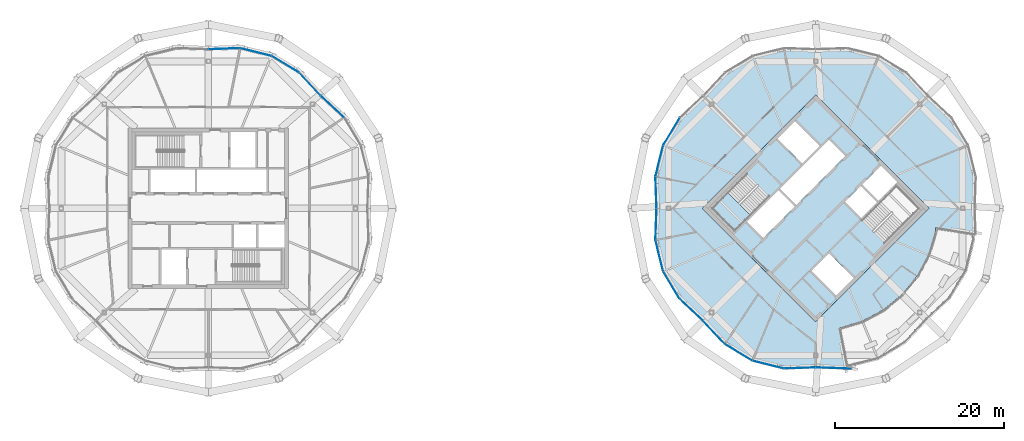
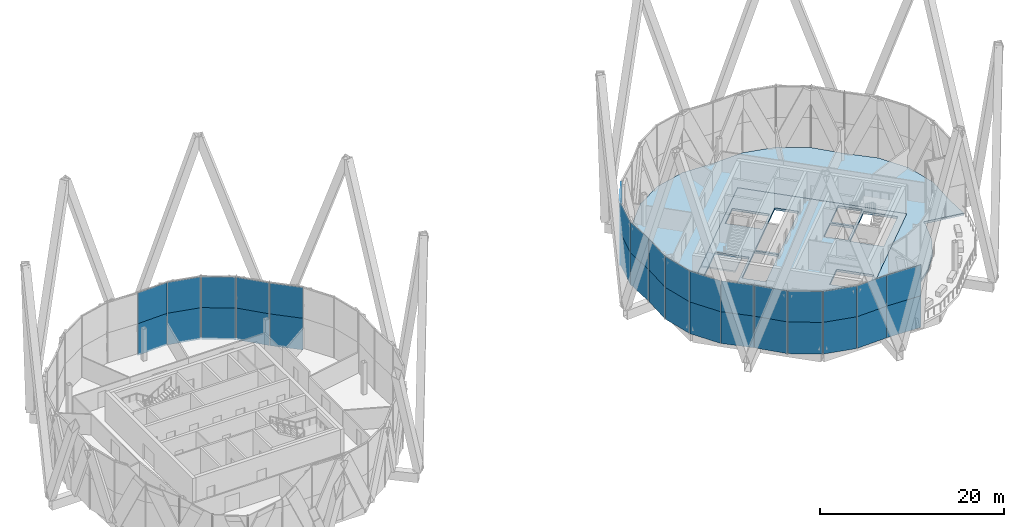
# One storey, part 27 of 38: 34 plates, 3 slabs, 7 elements without a shape of their own.
"""IFC4 building model written with IfcOpenShell, lengths in metres."""

from ifc_helpers import new_model, si_unit, direction, frame, origin, origin_2d, place, context, subcontext, project, spatial, polyline, rectangle, outline, extrude, material, layer, layer_set, type_object, element, aggregate, save


model = new_model("IFC4")

# Units and contexts
model_context = context("Model", 3, precision=1e-05, world=origin(), true_north=direction((0.0, 1.0)))
body_context = subcontext(model_context, "Body", "Model", "MODEL_VIEW")
ifc_project = project(units=[si_unit("LENGTHUNIT", "METRE"), si_unit("AREAUNIT", "SQUARE_METRE"), si_unit("VOLUMEUNIT", "CUBIC_METRE"), si_unit("PLANEANGLEUNIT", "RADIAN"), si_unit("MASSUNIT", "GRAM", prefix="KILO")], contexts=[model_context])

# Site, building, storey
site_placement = place(None, origin())
site = spatial("IfcSite", under=ifc_project, at=site_placement, CompositionType="ELEMENT")
building_placement = place(site_placement, origin())
building = spatial("IfcBuilding", under=site, at=building_placement, Name="Ogive Gate Towers", CompositionType="ELEMENT")
storey_placement = place(building_placement, frame((0.0, 0.0, 268.800048828125)))
storey = spatial("IfcBuildingStorey", under=building, at=storey_placement, Name="L63", CompositionType="ELEMENT", Elevation=268.800048828125)

# Slabs
ifc_material_1 = material(Name="Concrete C40/50", Category="concrete")
ifc_layer_1 = layer(ifc_material_1, 0.300048828125)
ifc_layer_set_1 = layer_set([ifc_layer_1], Name="Core slab C40/50 300 mm")
slab_type_1 = type_object("IfcSlabType", Name="Core slab C40/50 300 mm", PredefinedType="FLOOR", material=ifc_layer_set_1)
slab_1_placement = place(storey_placement, frame((0.0, 0.0, -0.300048828125)))
element("IfcSlab", 1, at=slab_1_placement, inside=storey, type_object=slab_type_1, Name="T2 L63 core slab", PredefinedType="FLOOR", context=body_context, shape_type="SweptSolid", body=[
    extrude(outline(polyline([(36.0, -13.43505859375), (22.56494140625, 0.0), (36.0, 13.43505859375), (49.43505859375, 0.0), (36.0, -13.43505859375)]), holes=[polyline([(29.777587890625, -3.500244140625), (33.525146484375, 0.24755859375), (31.615966796875, 2.15673828125), (27.868408203125, -1.591064453125), (29.777587890625, -3.500244140625)]), polyline([(31.792724609375, 2.33349609375), (33.701904296875, 0.42431640625), (39.500244140625, 6.222412109375), (37.591064453125, 8.131591796875), (31.792724609375, 2.33349609375)]), polyline([(41.3740234375, 2.651611328125), (39.500244140625, 0.77783203125), (41.409423828125, -1.13134765625), (43.283203125, 0.742431640625), (41.3740234375, 2.651611328125)]), polyline([(45.669677734375, 3.12890625), (43.760498046875, 5.0380859375), (41.55078125, 2.828369140625), (43.4599609375, 0.919189453125), (45.669677734375, 3.12890625)]), polyline([(34.408935546875, 5.30322265625), (36.4951171875, 7.389404296875), (33.542724609375, 10.34130859375), (31.456787109375, 8.255615234375), (34.408935546875, 5.30322265625)]), polyline([(35.5048828125, -7.389404296875), (38.457275390625, -10.34130859375), (40.543212890625, -8.255615234375), (37.591064453125, -5.30322265625), (35.5048828125, -7.389404296875)]), polyline([(26.40087890625, -2.70458984375), (30.512939453125, 1.406982421875), (27.80810546875, 4.11181640625), (23.6962890625, 0.0), (26.40087890625, -2.70458984375)]), polyline([(48.3037109375, 0.0), (45.59912109375, 2.70458984375), (41.487060546875, -1.406982421875), (44.19189453125, -4.11181640625), (48.3037109375, 0.0)])]), origin(), (0.0, 0.0, 1.0), 0.300048828125),
])
ifc_material_2 = material(Name="Concrete C35/45", Category="concrete")
ifc_layer_2 = layer(ifc_material_2, 0.300048828125)
ifc_layer_set_2 = layer_set([ifc_layer_2], Name="Floor slab 300")
slab_type_2 = type_object("IfcSlabType", Name="Floor slab 300", PredefinedType="FLOOR", material=ifc_layer_set_2)
slab_2_placement = place(storey_placement, frame((0.0, 0.0, -0.300048828125)))
element("IfcSlab", 2, at=slab_2_placement, inside=storey, type_object=slab_type_2, Name="T2/L63/SSL001", PredefinedType="FLOOR", context=body_context, shape_type="SweptSolid", body=[
    extrude(outline(polyline([(32.24267578125, -18.889892578125), (36.0, -18.760009765625), (39.75732421875, -18.889892578125), (39.671142578125, -18.886962890625), (38.758056640625, -14.1884765625), (38.821044921875, -14.18212890625), (41.53369140625, -13.359375), (44.033447265625, -12.02294921875), (46.224853515625, -10.224853515625), (48.02294921875, -8.033447265625), (49.359375, -5.53369140625), (50.18212890625, -2.821044921875), (50.23779296875, -2.255126953125), (54.86328125, -2.987548828125), (54.760009765625, 0.0), (54.889892578125, 3.75732421875), (53.978759765625, 7.447021484375), (52.01416015625, 10.7001953125), (49.265380859375, 13.265380859375), (46.7001953125, 16.01416015625), (43.447021484375, 17.978759765625), (39.75732421875, 18.889892578125), (36.0, 18.760009765625), (32.24267578125, 18.889892578125), (28.552978515625, 17.978759765625), (25.2998046875, 16.01416015625), (22.734619140625, 13.265380859375), (19.98583984375, 10.7001953125), (18.021240234375, 7.447021484375), (17.110107421875, 3.75732421875), (17.239990234375, 0.0), (17.110107421875, -3.75732421875), (18.021240234375, -7.447021484375), (19.98583984375, -10.7001953125), (22.734619140625, -13.265380859375), (25.2998046875, -16.01416015625), (28.552978515625, -17.978759765625), (32.24267578125, -18.889892578125)]), holes=[polyline([(49.43505859375, 0.0), (36.0, -13.43505859375), (22.56494140625, 0.0), (36.0, 13.43505859375), (49.43505859375, 0.0)])]), origin(), (0.0, 0.0, 1.0), 0.300048828125),
])

# Stair, slab
stair_type = type_object("IfcStairType", Name="Escape stair 1840 wide", PredefinedType="HALF_TURN_STAIR", material=ifc_material_1)
stair_placement = place(storey_placement, origin())
stair = element("IfcStair", 3, at=stair_placement, inside=storey, type_object=stair_type, Name="L63 Escape stair 1", PredefinedType="HALF_TURN_STAIR")
ifc_layer_3 = layer(ifc_material_1, 0.199951171875)
ifc_layer_set_3 = layer_set([ifc_layer_3], Name="Stair landing 200 mm")
slab_type_3 = type_object("IfcSlabType", Name="Stair landing 200 mm", PredefinedType="LANDING", material=ifc_layer_set_3)
slab_3_placement = place(storey_placement, frame((0.0, 0.0, 1.89990234375)))
slab_3 = element("IfcSlab", 4, at=slab_3_placement, type_object=slab_type_3, Name="ST1 landing 1", PredefinedType="LANDING", context=body_context, shape_type="SweptSolid", body=[
    extrude(outline(polyline([(25.586181640625, 1.8896484375), (23.6962890625, 0.0), (26.401123046875, -2.70458984375), (28.290771484375, -0.81494140625), (25.586181640625, 1.8896484375)])), origin(), (0.0, 0.0, 1.0), 0.199951171875),
])
aggregate(stair, [slab_3])

# Curtain wall, plates
ifc_material_3 = material(Name="Pale metal aluminium", Category="aluminium")
curtain_wall_type = type_object("IfcCurtainWallType", Name="Tower unitised wall, high zone", PredefinedType="NOTDEFINED", material=ifc_material_3)
curtain_wall_1_placement = place(storey_placement, origin())
curtain_wall_1 = element("IfcCurtainWall", 5, at=curtain_wall_1_placement, inside=storey, type_object=curtain_wall_type, Name="CW2 T1 ECW01", PredefinedType="NOTDEFINED")
ifc_material_4 = material(Name="Clear glass", Category="glass")
ifc_layer_4 = layer(ifc_material_4, 0.028076171875)
ifc_layer_set_4 = layer_set([ifc_layer_4], Name="Tower unitised wall, high zone glass panel")
plate_type = type_object("IfcPlateType", Name="Tower unitised wall, high zone glass panel", PredefinedType="CURTAIN_PANEL", material=ifc_layer_set_4)
plate_1_placement = place(storey_placement, frame((-21.287109375, 12.05126953125, -0.2998046875), z_axis=(0.0, 0.0, 1.0), x_axis=(-0.73111559473, 0.682253609109, 0.0)))
plate_1 = element("IfcPlate", 6, at=plate_1_placement, type_object=plate_type, Name="CW2 glass panel", PredefinedType="CURTAIN_PANEL", context=body_context, shape_type="SweptSolid", body=[
    extrude(rectangle(XDim=3.712158203125, YDim=0.028076171875, at=origin_2d()), origin(), (0.0, 0.0, 1.0), 4.199951171875),
])
plate_2_placement = place(storey_placement, frame((-21.287109375, 12.05126953125, 3.89990234375), z_axis=(0.0, 0.0, 1.0), x_axis=(-0.73111559473, 0.682253609109, 0.0)))
plate_2 = element("IfcPlate", 7, at=plate_2_placement, type_object=plate_type, Name="CW2 glass panel", PredefinedType="CURTAIN_PANEL", context=body_context, shape_type="SweptSolid", body=[
    extrude(rectangle(XDim=3.712158203125, YDim=0.028076171875, at=origin_2d()), origin(), (0.0, 0.0, 1.0), 4.10400390625),
])
aggregate(curtain_wall_1, [plate_1, plate_2])

curtain_wall_2_placement = place(storey_placement, origin())
curtain_wall_2 = element("IfcCurtainWall", 8, at=curtain_wall_2_placement, inside=storey, type_object=curtain_wall_type, Name="CW2 T1 ECW02", PredefinedType="NOTDEFINED")
plate_3_placement = place(storey_placement, frame((-23.94873046875, 14.712890625, -0.2998046875), z_axis=(0.0, 0.0, 1.0), x_axis=(-0.682253609109, 0.73111559473, 0.0)))
plate_3 = element("IfcPlate", 9, at=plate_3_placement, type_object=plate_type, Name="CW2 glass panel", PredefinedType="CURTAIN_PANEL", context=body_context, shape_type="SweptSolid", body=[
    extrude(rectangle(XDim=3.712158203125, YDim=0.028076171875, at=origin_2d()), origin(), (0.0, 0.0, 1.0), 4.199951171875),
])
plate_4_placement = place(storey_placement, frame((-23.94873046875, 14.712890625, 3.89990234375), z_axis=(0.0, 0.0, 1.0), x_axis=(-0.682253609109, 0.73111559473, 0.0)))
plate_4 = element("IfcPlate", 10, at=plate_4_placement, type_object=plate_type, Name="CW2 glass panel", PredefinedType="CURTAIN_PANEL", context=body_context, shape_type="SweptSolid", body=[
    extrude(rectangle(XDim=3.712158203125, YDim=0.028076171875, at=origin_2d()), origin(), (0.0, 0.0, 1.0), 4.10400390625),
])
plate_5_placement = place(storey_placement, frame((-26.875, 17.082275390625, -0.2998046875), z_axis=(0.0, 0.0, 1.0), x_axis=(-0.856032601057, 0.516921837348, 0.0)))
plate_5 = element("IfcPlate", 11, at=plate_5_placement, type_object=plate_type, Name="CW2 glass panel", PredefinedType="CURTAIN_PANEL", context=body_context, shape_type="SweptSolid", body=[
    extrude(rectangle(XDim=3.767578125, YDim=0.028076171875, at=origin_2d()), origin(), (0.0, 0.0, 1.0), 4.199951171875),
])
plate_6_placement = place(storey_placement, frame((-26.875, 17.082275390625, 3.89990234375), z_axis=(0.0, 0.0, 1.0), x_axis=(-0.856032601057, 0.516921837348, 0.0)))
plate_6 = element("IfcPlate", 12, at=plate_6_placement, type_object=plate_type, Name="CW2 glass panel", PredefinedType="CURTAIN_PANEL", context=body_context, shape_type="SweptSolid", body=[
    extrude(rectangle(XDim=3.767578125, YDim=0.028076171875, at=origin_2d()), origin(), (0.0, 0.0, 1.0), 4.10400390625),
])
plate_7_placement = place(storey_placement, frame((-30.373291015625, 18.53125, -0.2998046875), z_axis=(0.0, 0.0, 1.0), x_axis=(-0.97082957859, 0.239770576456, 0.0)))
plate_7 = element("IfcPlate", 13, at=plate_7_placement, type_object=plate_type, Name="CW2 glass panel", PredefinedType="CURTAIN_PANEL", context=body_context, shape_type="SweptSolid", body=[
    extrude(rectangle(XDim=3.767333984375, YDim=0.028076171875, at=origin_2d()), origin(), (0.0, 0.0, 1.0), 4.199951171875),
])
plate_8_placement = place(storey_placement, frame((-30.373291015625, 18.53125, 3.89990234375), z_axis=(0.0, 0.0, 1.0), x_axis=(-0.97082957859, 0.239770576456, 0.0)))
plate_8 = element("IfcPlate", 14, at=plate_8_placement, type_object=plate_type, Name="CW2 glass panel", PredefinedType="CURTAIN_PANEL", context=body_context, shape_type="SweptSolid", body=[
    extrude(rectangle(XDim=3.767333984375, YDim=0.028076171875, at=origin_2d()), origin(), (0.0, 0.0, 1.0), 4.10400390625),
])
plate_9_placement = place(storey_placement, frame((-34.117919921875, 18.925048828125, -0.2998046875), z_axis=(0.0, 0.0, 1.0), x_axis=(-0.999403551225, -0.034533198497, 0.0)))
plate_9 = element("IfcPlate", 15, at=plate_9_placement, type_object=plate_type, Name="CW2 glass panel", PredefinedType="CURTAIN_PANEL", context=body_context, shape_type="SweptSolid", body=[
    extrude(rectangle(XDim=3.712158203125, YDim=0.028076171875, at=origin_2d()), origin(), (0.0, 0.0, 1.0), 4.199951171875),
])
plate_10_placement = place(storey_placement, frame((-34.117919921875, 18.925048828125, 3.89990234375), z_axis=(0.0, 0.0, 1.0), x_axis=(-0.999403551225, -0.034533198497, 0.0)))
plate_10 = element("IfcPlate", 16, at=plate_10_placement, type_object=plate_type, Name="CW2 glass panel", PredefinedType="CURTAIN_PANEL", context=body_context, shape_type="SweptSolid", body=[
    extrude(rectangle(XDim=3.712158203125, YDim=0.028076171875, at=origin_2d()), origin(), (0.0, 0.0, 1.0), 4.10400390625),
])
aggregate(curtain_wall_2, [plate_3, plate_4, plate_5, plate_6, plate_7, plate_8, plate_9, plate_10])

curtain_wall_3_placement = place(storey_placement, origin())
curtain_wall_3 = element("IfcCurtainWall", 17, at=curtain_wall_3_placement, inside=storey, type_object=curtain_wall_type, Name="CW2 T2 ECW06", PredefinedType="NOTDEFINED")
plate_11_placement = place(storey_placement, frame((17.074951171875, 1.882080078125, -0.2998046875), z_axis=(0.0, 0.0, 1.0), x_axis=(-0.034533198497, 0.999403551225, 0.0)))
plate_11 = element("IfcPlate", 18, at=plate_11_placement, type_object=plate_type, Name="CW2 glass panel", PredefinedType="CURTAIN_PANEL", context=body_context, shape_type="SweptSolid", body=[
    extrude(rectangle(XDim=3.712158203125, YDim=0.028076171875, at=origin_2d()), origin(), (0.0, 0.0, 1.0), 4.199951171875),
])
plate_12_placement = place(storey_placement, frame((17.074951171875, 1.882080078125, 3.89990234375), z_axis=(0.0, 0.0, 1.0), x_axis=(-0.034533198497, 0.999403551225, 0.0)))
plate_12 = element("IfcPlate", 19, at=plate_12_placement, type_object=plate_type, Name="CW2 glass panel", PredefinedType="CURTAIN_PANEL", context=body_context, shape_type="SweptSolid", body=[
    extrude(rectangle(XDim=3.712158203125, YDim=0.028076171875, at=origin_2d()), origin(), (0.0, 0.0, 1.0), 4.10400390625),
])
plate_13_placement = place(storey_placement, frame((17.46875, 5.626708984375, -0.2998046875), z_axis=(0.0, 0.0, 1.0), x_axis=(0.239770576456, 0.97082957859, 0.0)))
plate_13 = element("IfcPlate", 20, at=plate_13_placement, type_object=plate_type, Name="CW2 glass panel", PredefinedType="CURTAIN_PANEL", context=body_context, shape_type="SweptSolid", body=[
    extrude(rectangle(XDim=3.767333984375, YDim=0.028076171875, at=origin_2d()), origin(), (0.0, 0.0, 1.0), 4.199951171875),
])
plate_14_placement = place(storey_placement, frame((17.46875, 5.626708984375, 3.89990234375), z_axis=(0.0, 0.0, 1.0), x_axis=(0.239770576456, 0.97082957859, 0.0)))
plate_14 = element("IfcPlate", 21, at=plate_14_placement, type_object=plate_type, Name="CW2 glass panel", PredefinedType="CURTAIN_PANEL", context=body_context, shape_type="SweptSolid", body=[
    extrude(rectangle(XDim=3.767333984375, YDim=0.028076171875, at=origin_2d()), origin(), (0.0, 0.0, 1.0), 4.10400390625),
])
plate_15_placement = place(storey_placement, frame((18.917724609375, 9.125, -0.2998046875), z_axis=(0.0, 0.0, 1.0), x_axis=(0.516921837348, 0.856032601057, 0.0)))
plate_15 = element("IfcPlate", 22, at=plate_15_placement, type_object=plate_type, Name="CW2 glass panel", PredefinedType="CURTAIN_PANEL", context=body_context, shape_type="SweptSolid", body=[
    extrude(rectangle(XDim=3.767578125, YDim=0.028076171875, at=origin_2d()), origin(), (0.0, 0.0, 1.0), 4.199951171875),
])
plate_16_placement = place(storey_placement, frame((18.917724609375, 9.125, 3.89990234375), z_axis=(0.0, 0.0, 1.0), x_axis=(0.516921837348, 0.856032601057, 0.0)))
plate_16 = element("IfcPlate", 23, at=plate_16_placement, type_object=plate_type, Name="CW2 glass panel", PredefinedType="CURTAIN_PANEL", context=body_context, shape_type="SweptSolid", body=[
    extrude(rectangle(XDim=3.767578125, YDim=0.028076171875, at=origin_2d()), origin(), (0.0, 0.0, 1.0), 4.10400390625),
])
aggregate(curtain_wall_3, [plate_11, plate_12, plate_13, plate_14, plate_15, plate_16])

curtain_wall_4_placement = place(storey_placement, origin())
curtain_wall_4 = element("IfcCurtainWall", 24, at=curtain_wall_4_placement, inside=storey, type_object=curtain_wall_type, Name="CW2 T2 ECW07", PredefinedType="NOTDEFINED")
plate_17_placement = place(storey_placement, frame((21.287109375, -12.05126953125, -0.2998046875), z_axis=(0.0, 0.0, 1.0), x_axis=(-0.73111559473, 0.682253609109, 0.0)))
plate_17 = element("IfcPlate", 25, at=plate_17_placement, type_object=plate_type, Name="CW2 glass panel", PredefinedType="CURTAIN_PANEL", context=body_context, shape_type="SweptSolid", body=[
    extrude(rectangle(XDim=3.712158203125, YDim=0.028076171875, at=origin_2d()), origin(), (0.0, 0.0, 1.0), 4.199951171875),
])
plate_18_placement = place(storey_placement, frame((21.287109375, -12.05126953125, 3.89990234375), z_axis=(0.0, 0.0, 1.0), x_axis=(-0.73111559473, 0.682253609109, 0.0)))
plate_18 = element("IfcPlate", 26, at=plate_18_placement, type_object=plate_type, Name="CW2 glass panel", PredefinedType="CURTAIN_PANEL", context=body_context, shape_type="SweptSolid", body=[
    extrude(rectangle(XDim=3.712158203125, YDim=0.028076171875, at=origin_2d()), origin(), (0.0, 0.0, 1.0), 4.10400390625),
])
plate_19_placement = place(storey_placement, frame((18.917724609375, -9.125, -0.2998046875), z_axis=(0.0, 0.0, 1.0), x_axis=(-0.516921837348, 0.856032601057, 0.0)))
plate_19 = element("IfcPlate", 27, at=plate_19_placement, type_object=plate_type, Name="CW2 glass panel", PredefinedType="CURTAIN_PANEL", context=body_context, shape_type="SweptSolid", body=[
    extrude(rectangle(XDim=3.767578125, YDim=0.028076171875, at=origin_2d()), origin(), (0.0, 0.0, 1.0), 4.199951171875),
])
plate_20_placement = place(storey_placement, frame((18.917724609375, -9.125, 3.89990234375), z_axis=(0.0, 0.0, 1.0), x_axis=(-0.516921837348, 0.856032601057, 0.0)))
plate_20 = element("IfcPlate", 28, at=plate_20_placement, type_object=plate_type, Name="CW2 glass panel", PredefinedType="CURTAIN_PANEL", context=body_context, shape_type="SweptSolid", body=[
    extrude(rectangle(XDim=3.767578125, YDim=0.028076171875, at=origin_2d()), origin(), (0.0, 0.0, 1.0), 4.10400390625),
])
plate_21_placement = place(storey_placement, frame((17.46875, -5.626708984375, -0.2998046875), z_axis=(0.0, 0.0, 1.0), x_axis=(-0.239770576456, 0.97082957859, 0.0)))
plate_21 = element("IfcPlate", 29, at=plate_21_placement, type_object=plate_type, Name="CW2 glass panel", PredefinedType="CURTAIN_PANEL", context=body_context, shape_type="SweptSolid", body=[
    extrude(rectangle(XDim=3.767333984375, YDim=0.028076171875, at=origin_2d()), origin(), (0.0, 0.0, 1.0), 4.199951171875),
])
plate_22_placement = place(storey_placement, frame((17.46875, -5.626708984375, 3.89990234375), z_axis=(0.0, 0.0, 1.0), x_axis=(-0.239770576456, 0.97082957859, 0.0)))
plate_22 = element("IfcPlate", 30, at=plate_22_placement, type_object=plate_type, Name="CW2 glass panel", PredefinedType="CURTAIN_PANEL", context=body_context, shape_type="SweptSolid", body=[
    extrude(rectangle(XDim=3.767333984375, YDim=0.028076171875, at=origin_2d()), origin(), (0.0, 0.0, 1.0), 4.10400390625),
])
plate_23_placement = place(storey_placement, frame((17.074951171875, -1.882080078125, -0.2998046875), z_axis=(0.0, 0.0, 1.0), x_axis=(0.034533198497, 0.999403551225, 0.0)))
plate_23 = element("IfcPlate", 31, at=plate_23_placement, type_object=plate_type, Name="CW2 glass panel", PredefinedType="CURTAIN_PANEL", context=body_context, shape_type="SweptSolid", body=[
    extrude(rectangle(XDim=3.712158203125, YDim=0.028076171875, at=origin_2d()), origin(), (0.0, 0.0, 1.0), 4.199951171875),
])
plate_24_placement = place(storey_placement, frame((17.074951171875, -1.882080078125, 3.89990234375), z_axis=(0.0, 0.0, 1.0), x_axis=(0.034533198497, 0.999403551225, 0.0)))
plate_24 = element("IfcPlate", 32, at=plate_24_placement, type_object=plate_type, Name="CW2 glass panel", PredefinedType="CURTAIN_PANEL", context=body_context, shape_type="SweptSolid", body=[
    extrude(rectangle(XDim=3.712158203125, YDim=0.028076171875, at=origin_2d()), origin(), (0.0, 0.0, 1.0), 4.10400390625),
])
aggregate(curtain_wall_4, [plate_17, plate_18, plate_19, plate_20, plate_21, plate_22, plate_23, plate_24])

curtain_wall_5_placement = place(storey_placement, origin())
curtain_wall_5 = element("IfcCurtainWall", 33, at=curtain_wall_5_placement, inside=storey, type_object=curtain_wall_type, Name="CW2 T2 ECW08", PredefinedType="NOTDEFINED")
plate_25_placement = place(storey_placement, frame((34.117919921875, -18.925048828125, -0.2998046875), z_axis=(0.0, 0.0, 1.0), x_axis=(-0.999403551225, -0.034533198497, 0.0)))
plate_25 = element("IfcPlate", 34, at=plate_25_placement, type_object=plate_type, Name="CW2 glass panel", PredefinedType="CURTAIN_PANEL", context=body_context, shape_type="SweptSolid", body=[
    extrude(rectangle(XDim=3.712158203125, YDim=0.028076171875, at=origin_2d()), origin(), (0.0, 0.0, 1.0), 4.199951171875),
])
plate_26_placement = place(storey_placement, frame((34.117919921875, -18.925048828125, 3.89990234375), z_axis=(0.0, 0.0, 1.0), x_axis=(-0.999403551225, -0.034533198497, 0.0)))
plate_26 = element("IfcPlate", 35, at=plate_26_placement, type_object=plate_type, Name="CW2 glass panel", PredefinedType="CURTAIN_PANEL", context=body_context, shape_type="SweptSolid", body=[
    extrude(rectangle(XDim=3.712158203125, YDim=0.028076171875, at=origin_2d()), origin(), (0.0, 0.0, 1.0), 4.10400390625),
])
plate_27_placement = place(storey_placement, frame((30.373291015625, -18.53125, -0.2998046875), z_axis=(0.0, 0.0, 1.0), x_axis=(-0.97082957859, 0.239770576456, 0.0)))
plate_27 = element("IfcPlate", 36, at=plate_27_placement, type_object=plate_type, Name="CW2 glass panel", PredefinedType="CURTAIN_PANEL", context=body_context, shape_type="SweptSolid", body=[
    extrude(rectangle(XDim=3.767333984375, YDim=0.028076171875, at=origin_2d()), origin(), (0.0, 0.0, 1.0), 4.199951171875),
])
plate_28_placement = place(storey_placement, frame((30.373291015625, -18.53125, 3.89990234375), z_axis=(0.0, 0.0, 1.0), x_axis=(-0.97082957859, 0.239770576456, 0.0)))
plate_28 = element("IfcPlate", 37, at=plate_28_placement, type_object=plate_type, Name="CW2 glass panel", PredefinedType="CURTAIN_PANEL", context=body_context, shape_type="SweptSolid", body=[
    extrude(rectangle(XDim=3.767333984375, YDim=0.028076171875, at=origin_2d()), origin(), (0.0, 0.0, 1.0), 4.10400390625),
])
plate_29_placement = place(storey_placement, frame((26.875, -17.082275390625, -0.2998046875), z_axis=(0.0, 0.0, 1.0), x_axis=(-0.856032601057, 0.516921837348, 0.0)))
plate_29 = element("IfcPlate", 38, at=plate_29_placement, type_object=plate_type, Name="CW2 glass panel", PredefinedType="CURTAIN_PANEL", context=body_context, shape_type="SweptSolid", body=[
    extrude(rectangle(XDim=3.767578125, YDim=0.028076171875, at=origin_2d()), origin(), (0.0, 0.0, 1.0), 4.199951171875),
])
plate_30_placement = place(storey_placement, frame((26.875, -17.082275390625, 3.89990234375), z_axis=(0.0, 0.0, 1.0), x_axis=(-0.856032601057, 0.516921837348, 0.0)))
plate_30 = element("IfcPlate", 39, at=plate_30_placement, type_object=plate_type, Name="CW2 glass panel", PredefinedType="CURTAIN_PANEL", context=body_context, shape_type="SweptSolid", body=[
    extrude(rectangle(XDim=3.767578125, YDim=0.028076171875, at=origin_2d()), origin(), (0.0, 0.0, 1.0), 4.10400390625),
])
plate_31_placement = place(storey_placement, frame((23.94873046875, -14.712890625, -0.2998046875), z_axis=(0.0, 0.0, 1.0), x_axis=(-0.682253609109, 0.73111559473, 0.0)))
plate_31 = element("IfcPlate", 40, at=plate_31_placement, type_object=plate_type, Name="CW2 glass panel", PredefinedType="CURTAIN_PANEL", context=body_context, shape_type="SweptSolid", body=[
    extrude(rectangle(XDim=3.712158203125, YDim=0.028076171875, at=origin_2d()), origin(), (0.0, 0.0, 1.0), 4.199951171875),
])
plate_32_placement = place(storey_placement, frame((23.94873046875, -14.712890625, 3.89990234375), z_axis=(0.0, 0.0, 1.0), x_axis=(-0.682253609109, 0.73111559473, 0.0)))
plate_32 = element("IfcPlate", 41, at=plate_32_placement, type_object=plate_type, Name="CW2 glass panel", PredefinedType="CURTAIN_PANEL", context=body_context, shape_type="SweptSolid", body=[
    extrude(rectangle(XDim=3.712158203125, YDim=0.028076171875, at=origin_2d()), origin(), (0.0, 0.0, 1.0), 4.10400390625),
])
aggregate(curtain_wall_5, [plate_25, plate_26, plate_27, plate_28, plate_29, plate_30, plate_31, plate_32])

curtain_wall_6_placement = place(storey_placement, origin())
curtain_wall_6 = element("IfcCurtainWall", 42, at=curtain_wall_6_placement, inside=storey, type_object=curtain_wall_type, Name="CW2 T2 ECW09b", PredefinedType="NOTDEFINED")
plate_33_placement = place(storey_placement, frame((38.126953125, -18.93359375, -0.2998046875), z_axis=(0.0, 0.0, 1.0), x_axis=(-0.999403551225, 0.034533198497, 0.0)))
plate_33 = element("IfcPlate", 43, at=plate_33_placement, type_object=plate_type, Name="CW2 glass panel", PredefinedType="CURTAIN_PANEL", context=body_context, shape_type="SweptSolid", body=[
    extrude(rectangle(XDim=4.2021484375, YDim=0.028076171875, at=origin_2d()), origin(), (0.0, 0.0, 1.0), 4.199951171875),
])
plate_34_placement = place(storey_placement, frame((38.126953125, -18.93359375, 3.89990234375), z_axis=(0.0, 0.0, 1.0), x_axis=(-0.999403551225, 0.034533198497, 0.0)))
plate_34 = element("IfcPlate", 44, at=plate_34_placement, type_object=plate_type, Name="CW2 glass panel", PredefinedType="CURTAIN_PANEL", context=body_context, shape_type="SweptSolid", body=[
    extrude(rectangle(XDim=4.2021484375, YDim=0.028076171875, at=origin_2d()), origin(), (0.0, 0.0, 1.0), 4.10400390625),
])
aggregate(curtain_wall_6, [plate_33, plate_34])

save(model, "model.ifc")
